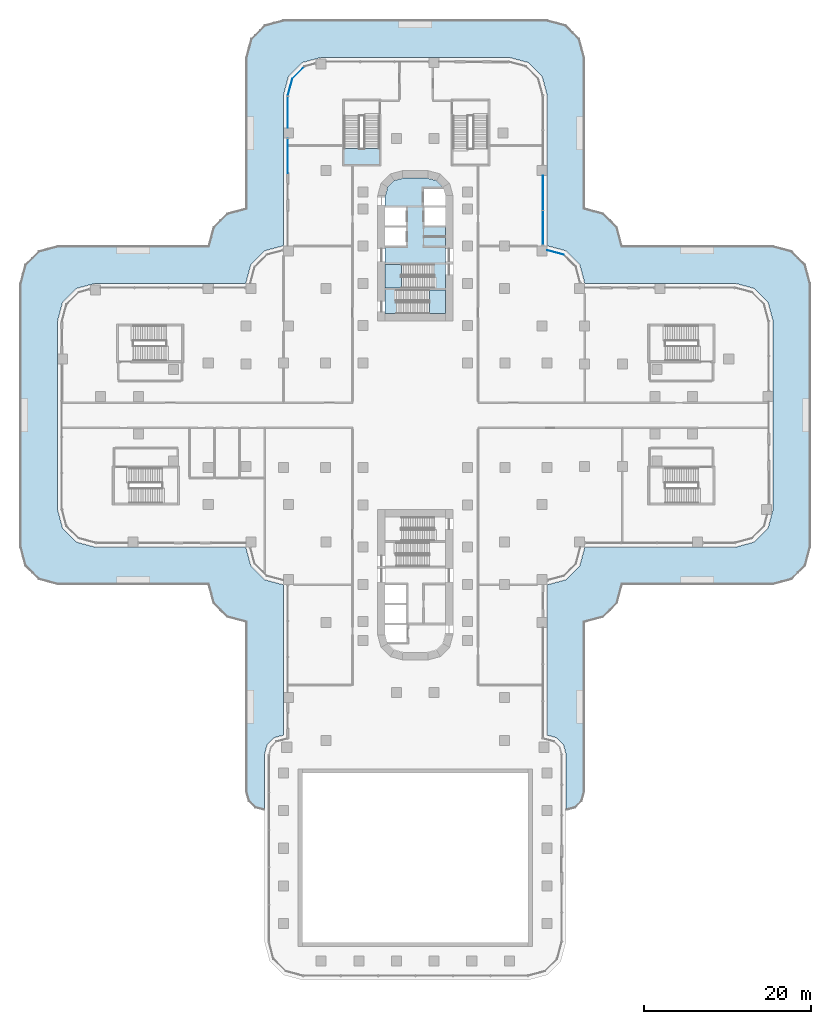
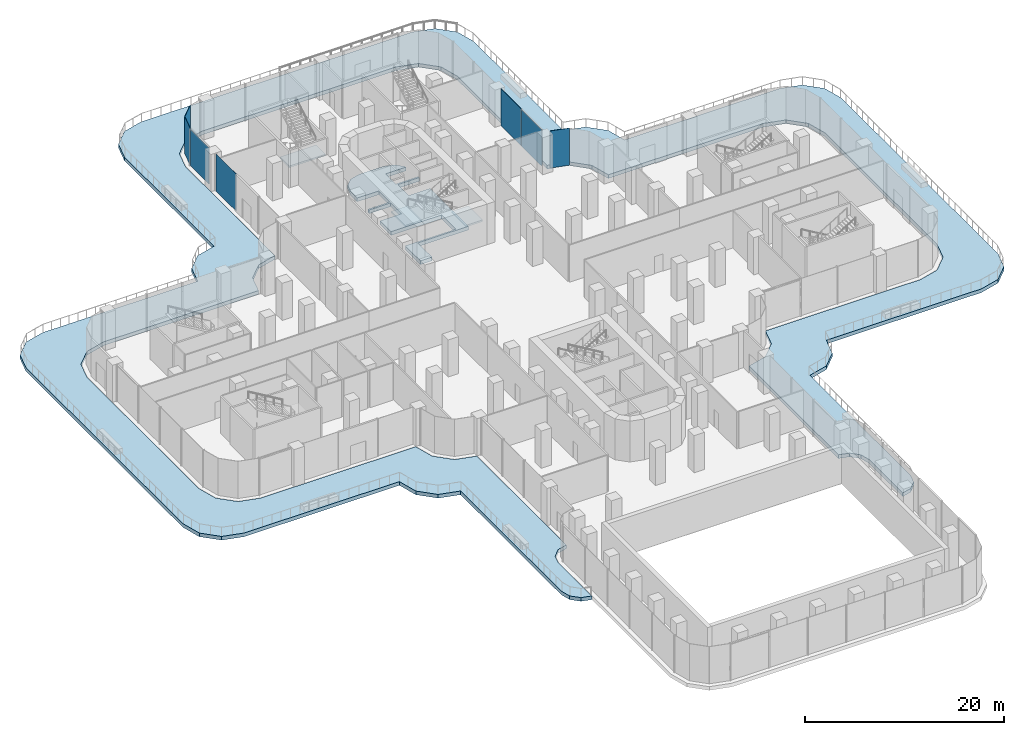
# One storey, part 14 of 27: 7 plates, 5 slabs, 8 elements without a shape of their own.
"""IFC4 building model written with IfcOpenShell, lengths in metres."""

from ifc_helpers import new_model, si_unit, direction, frame, origin, place, context, subcontext, project, spatial, polyline, outline, extrude, source, transform, mapped, material, layer, layer_set, type_object, element, aggregate, save


model = new_model("IFC4")

# Units and contexts
model_context = context("Model", 3, precision=1e-05, world=origin(), true_north=direction((0.0, 1.0)))
body_context = subcontext(model_context, "Body", "Model", "MODEL_VIEW")
ifc_project = project(units=[si_unit("LENGTHUNIT", "METRE"), si_unit("AREAUNIT", "SQUARE_METRE"), si_unit("VOLUMEUNIT", "CUBIC_METRE"), si_unit("PLANEANGLEUNIT", "RADIAN"), si_unit("MASSUNIT", "GRAM", prefix="KILO")], contexts=[model_context])

# Site, building, storey
site_placement = place(None, origin())
site = spatial("IfcSite", under=ifc_project, at=site_placement, CompositionType="ELEMENT")
building_placement = place(site_placement, origin())
building = spatial("IfcBuilding", under=site, at=building_placement, Name="Zarbagh Exchange Tower", CompositionType="ELEMENT")
storey_placement = place(building_placement, frame((0.0, 0.0, 17.0)))
storey = spatial("IfcBuildingStorey", under=building, at=storey_placement, Name="L03", CompositionType="ELEMENT", Elevation=17.0)

# Slabs
ifc_material_1 = material(Name="Concrete C50/60", Category="concrete")
ifc_layer_1 = layer(ifc_material_1, 0.449951171875)
ifc_layer_set_1 = layer_set([ifc_layer_1], Name="Core floor slab 450 C50/60")
slab_type_1 = type_object("IfcSlabType", Name="Core floor slab 450 C50/60", PredefinedType="FLOOR", material=ifc_layer_set_1)
slab_1_placement = place(storey_placement, frame((0.0, 0.0, -0.449951171875)))
element("IfcSlab", 1, at=slab_1_placement, inside=storey, type_object=slab_type_1, Name="S16 core N", PredefinedType="FLOOR", context=body_context, shape_type="SweptSolid", body=[
    extrude(outline(polyline([(-3.60009765625, 12.14990234375), (-3.60009765625, 15.199951171875), (2.25, 15.199951171875), (2.25, 18.050048828125), (-3.60009765625, 18.050048828125), (-3.60009765625, 20.25), (-1.10009765625, 20.25), (-1.10009765625, 22.449951171875), (-3.60009765625, 22.449951171875), (-3.60009765625, 22.64990234375), (-1.10009765625, 22.64990234375), (-1.10009765625, 24.85009765625), (-3.60009765625, 24.85009765625), (-3.60009765625, 26.131591796875), (-3.291259765625, 27.2841796875), (-2.5341796875, 28.041259765625), (-1.381591796875, 28.35009765625), (1.381591796875, 28.35009765625), (2.5341796875, 28.041259765625), (3.291259765625, 27.2841796875), (3.340576171875, 27.10009765625), (1.0, 27.10009765625), (1.0, 25.050048828125), (3.60009765625, 25.050048828125), (3.60009765625, 24.85009765625), (1.10009765625, 24.85009765625), (1.10009765625, 22.64990234375), (3.60009765625, 22.64990234375), (3.60009765625, 15.0), (-2.25, 15.0), (-2.25, 12.14990234375), (-3.60009765625, 12.14990234375)])), origin(), (0.0, 0.0, 1.0), 0.449951171875),
])
ifc_layer_2 = layer(ifc_material_1, 0.449951171875)
ifc_layer_set_2 = layer_set([ifc_layer_2], Name="Podium terrace roof slab 450 C50/60")
slab_type_2 = type_object("IfcSlabType", Name="Podium terrace roof slab 450 C50/60", PredefinedType="ROOF", material=ifc_layer_set_2)
slab_2_placement = place(storey_placement, frame((0.0, 0.0, -0.449951171875)))
element("IfcSlab", 2, at=slab_2_placement, inside=storey, type_object=slab_type_2, Name="S8 podium terrace roof slab", PredefinedType="ROOF", context=body_context, shape_type="SweptSolid", body=[
    extrude(outline(polyline([(-20.25, -24.75), (-22.5, -24.147216796875), (-24.147216796875, -22.5), (-24.75, -20.25), (-42.75, -20.25), (-45.0, -19.647216796875), (-46.647216796875, -18.0), (-47.25, -15.75), (-47.25, 15.75), (-46.647216796875, 18.0), (-45.0, 19.647216796875), (-42.75, 20.25), (-24.75, 20.25), (-24.147216796875, 22.5), (-22.5, 24.147216796875), (-20.25, 24.75), (-20.25, 42.75), (-19.647216796875, 45.0), (-18.0, 46.647216796875), (-15.75, 47.25), (15.75, 47.25), (18.0, 46.647216796875), (19.647216796875, 45.0), (20.25, 42.75), (20.25, 24.75), (22.5, 24.147216796875), (24.147216796875, 22.5), (24.75, 20.25), (42.75, 20.25), (45.0, 19.647216796875), (46.647216796875, 18.0), (47.25, 15.75), (47.25, -15.75), (46.647216796875, -18.0), (45.0, -19.647216796875), (42.75, -20.25), (24.75, -20.25), (24.147216796875, -22.5), (22.5, -24.147216796875), (20.25, -24.75), (20.25, -45.0), (19.948486328125, -46.125), (19.125, -46.948486328125), (18.02490234375, -47.243408203125), (18.02490234375, -40.49658203125), (17.720947265625, -39.362060546875), (16.887939453125, -38.529052734375), (15.77490234375, -38.230712890625), (15.77490234375, -20.269287109375), (18.012939453125, -19.66943359375), (19.66943359375, -18.012939453125), (20.269287109375, -15.77490234375), (38.25341796875, -15.77490234375), (40.512939453125, -15.16943359375), (42.16943359375, -13.512939453125), (42.77490234375, -11.25341796875), (42.77490234375, 11.25341796875), (42.16943359375, 13.512939453125), (40.512939453125, 15.16943359375), (38.25341796875, 15.77490234375), (20.269287109375, 15.77490234375), (19.66943359375, 18.012939453125), (18.012939453125, 19.66943359375), (15.77490234375, 20.269287109375), (15.77490234375, 38.25341796875), (15.16943359375, 40.512939453125), (13.512939453125, 42.16943359375), (11.25341796875, 42.77490234375), (-11.25341796875, 42.77490234375), (-13.512939453125, 42.16943359375), (-15.16943359375, 40.512939453125), (-15.77490234375, 38.25341796875), (-15.77490234375, 20.269287109375), (-18.012939453125, 19.66943359375), (-19.66943359375, 18.012939453125), (-20.269287109375, 15.77490234375), (-38.25341796875, 15.77490234375), (-40.512939453125, 15.16943359375), (-42.16943359375, 13.512939453125), (-42.77490234375, 11.25341796875), (-42.77490234375, -11.25341796875), (-42.16943359375, -13.512939453125), (-40.512939453125, -15.16943359375), (-38.25341796875, -15.77490234375), (-20.269287109375, -15.77490234375), (-19.66943359375, -18.012939453125), (-18.012939453125, -19.66943359375), (-15.77490234375, -20.269287109375), (-15.77490234375, -38.230712890625), (-16.887939453125, -38.529052734375), (-17.720947265625, -39.362060546875), (-18.02490234375, -40.49658203125), (-18.02490234375, -47.243408203125), (-19.125, -46.948486328125), (-19.948486328125, -46.125), (-20.25, -45.0), (-20.25, -24.75)])), origin(), (0.0, 0.0, 1.0), 0.449951171875),
])

# Stair, slab
ifc_material_2 = material(Name="Concrete C40/50", Category="concrete")
stair_type = type_object("IfcStairType", Name="Exit stair two-flight half-turn", PredefinedType="HALF_TURN_STAIR", material=ifc_material_2)
stair_1_placement = place(storey_placement, origin())
stair_1 = element("IfcStair", 3, at=stair_1_placement, inside=storey, type_object=stair_type, Name="exit stair ST1", PredefinedType="HALF_TURN_STAIR")
ifc_layer_3 = layer(ifc_material_2, 0.199951171875)
ifc_layer_set_3 = layer_set([ifc_layer_3], Name="Stair landing 200 mm")
slab_type_3 = type_object("IfcSlabType", Name="Stair landing 200 mm", PredefinedType="LANDING", material=ifc_layer_set_3)
slab_3_placement = place(storey_placement, frame((0.0, 0.0, 2.300048828125)))
slab_3 = element("IfcSlab", 4, at=slab_3_placement, type_object=slab_type_3, Name="ST1 landing 1", PredefinedType="LANDING", context=body_context, shape_type="SweptSolid", body=[
    extrude(outline(polyline([(-1.669921875, 18.050048828125), (-3.60009765625, 18.050048828125), (-3.60009765625, 15.199951171875), (-1.669921875, 15.199951171875), (-1.669921875, 18.050048828125)])), origin(), (0.0, 0.0, 1.0), 0.199951171875),
])
aggregate(stair_1, [slab_3])

stair_2_placement = place(storey_placement, origin())
stair_2 = element("IfcStair", 5, at=stair_2_placement, inside=storey, type_object=stair_type, Name="exit stair ST2", PredefinedType="HALF_TURN_STAIR")
slab_4_placement = place(storey_placement, frame((0.0, 0.0, 2.300048828125)))
slab_4 = element("IfcSlab", 6, at=slab_4_placement, type_object=slab_type_3, Name="ST2 landing 1", PredefinedType="LANDING", context=body_context, shape_type="SweptSolid", body=[
    extrude(outline(polyline([(1.669921875, 12.14990234375), (3.60009765625, 12.14990234375), (3.60009765625, 15.0), (1.669921875, 15.0), (1.669921875, 12.14990234375)])), origin(), (0.0, 0.0, 1.0), 0.199951171875),
])
aggregate(stair_2, [slab_4])

stair_3_placement = place(storey_placement, origin())
stair_3 = element("IfcStair", 7, at=stair_3_placement, inside=storey, type_object=stair_type, Name="exit stair PS1", PredefinedType="HALF_TURN_STAIR")
slab_5_placement = place(storey_placement, frame((0.0, 0.0, 2.300048828125)))
slab_5 = element("IfcSlab", 8, at=slab_5_placement, type_object=slab_type_3, Name="PS1 landing 1", PredefinedType="LANDING", context=body_context, shape_type="SweptSolid", body=[
    extrude(outline(polyline([(-8.5, 31.8798828125), (-8.5, 30.0), (-4.300048828125, 30.0), (-4.300048828125, 31.8798828125), (-8.5, 31.8798828125)])), origin(), (0.0, 0.0, 1.0), 0.199951171875),
])
aggregate(stair_3, [slab_5])

# Curtain wall, plate
ifc_material_3 = material(Name="Anodised aluminium frame and glazing", Category="aluminium")
curtain_wall_type = type_object("IfcCurtainWallType", Name="CWC Podium garden-wall glazing", PredefinedType="NOTDEFINED", material=ifc_material_3)
curtain_wall_1_placement = place(storey_placement, origin())
curtain_wall_1 = element("IfcCurtainWall", 9, at=curtain_wall_1_placement, inside=storey, type_object=curtain_wall_type, Name="CWC168 curtain wall", PredefinedType="NOTDEFINED")
ifc_material_4 = material(Name="Low-e double glazed unit, 6+12+6 mm")
ifc_layer_4 = layer(ifc_material_4, 0.031982421875)
ifc_layer_set_4 = layer_set([ifc_layer_4], Name="PAC Glazing panel, Low-e double glazed unit, 6+12+6 mm")
plate_type = type_object("IfcPlateType", Name="PAC Glazing panel, Low-e double glazed unit, 6+12+6 mm", PredefinedType="CURTAIN_PANEL", material=ifc_layer_set_4)
shared_shape_1 = source(origin(), body_context, "Body", "SweptSolid", [
    extrude(outline(polyline([(0.0, -0.01611328125), (2.061279296875, -0.01611328125), (2.061279296875, 0.01611328125), (0.0, 0.01611328125), (0.0, -0.01611328125)])), origin(), (0.0, 0.0, 1.0), 4.550048828125),
])
placement = place(storey_placement, origin())
plate_1 = element("IfcPlate", 10, at=placement, type_object=plate_type, Name="CWC168 glazing panel 1.1", PredefinedType="CURTAIN_PANEL", context=body_context, shape_type="MappedRepresentation", body=[
    mapped(shared_shape_1, transform((-13.2412109375, 41.69873046875, 0.0), x_axis=(-0.707106781187, -0.707106781187, 0.0), y_axis=(0.707106781187, -0.707106781187, 0.0), z_axis=(0.0, 0.0, 1.0))),
])
aggregate(curtain_wall_1, [plate_1])

curtain_wall_2_placement = place(storey_placement, origin())
curtain_wall_2 = element("IfcCurtainWall", 11, at=curtain_wall_2_placement, inside=storey, type_object=curtain_wall_type, Name="CWC161 curtain wall", PredefinedType="NOTDEFINED")
shared_shape_2 = source(origin(), body_context, "Body", "SweptSolid", [
    extrude(outline(polyline([(0.0, -0.01611328125), (2.02001953125, -0.01611328125), (2.02001953125, 0.01611328125), (0.0, 0.01611328125), (0.0, -0.01611328125)])), origin(), (0.0, 0.0, 1.0), 4.550048828125),
])
plate_2 = element("IfcPlate", 12, at=placement, type_object=plate_type, Name="CWC161 glazing panel 1.1", PredefinedType="CURTAIN_PANEL", context=body_context, shape_type="MappedRepresentation", body=[
    mapped(shared_shape_2, transform((17.7412109375, 19.19873046875, 0.0), x_axis=(-0.965924289636, 0.258824779902, 0.0), y_axis=(-0.258824779902, -0.965924289636, 0.0), z_axis=(0.0, 0.0, 1.0))),
])
aggregate(curtain_wall_2, [plate_2])

curtain_wall_3_placement = place(storey_placement, origin())
curtain_wall_3 = element("IfcCurtainWall", 13, at=curtain_wall_3_placement, inside=storey, type_object=curtain_wall_type, Name="CWC169 curtain wall", PredefinedType="NOTDEFINED")
shared_shape_3 = source(origin(), body_context, "Body", "SweptSolid", [
    extrude(outline(polyline([(0.0, -0.01611328125), (2.129638671875, -0.01611328125), (2.129638671875, 0.01611328125), (0.0, 0.01611328125), (0.0, -0.01611328125)])), origin(), (0.0, 0.0, 1.0), 4.550048828125),
])
plate_3 = element("IfcPlate", 14, at=placement, type_object=plate_type, Name="CWC169 glazing panel 1.1", PredefinedType="CURTAIN_PANEL", context=body_context, shape_type="MappedRepresentation", body=[
    mapped(shared_shape_3, transform((-14.69873046875, 40.2412109375, 0.0), x_axis=(-0.258824779902, -0.965924289636, 0.0), y_axis=(0.965924289636, -0.258824779902, 0.0), z_axis=(0.0, 0.0, 1.0))),
])
aggregate(curtain_wall_3, [plate_3])

curtain_wall_4_placement = place(storey_placement, origin())
curtain_wall_4 = element("IfcCurtainWall", 15, at=curtain_wall_4_placement, inside=storey, type_object=curtain_wall_type, Name="CWC170 curtain wall", PredefinedType="NOTDEFINED")
shared_shape_4 = source(origin(), body_context, "Body", "SweptSolid", [
    extrude(outline(polyline([(0.0, -0.01611328125), (3.714111328125, -0.01611328125), (3.714111328125, 0.01611328125), (0.0, 0.01611328125), (0.0, -0.01611328125)])), origin(), (0.0, 0.0, 1.0), 4.469970703125),
])
plate_4 = element("IfcPlate", 16, at=placement, type_object=plate_type, Name="CWC170 glazing panel 1.1", PredefinedType="CURTAIN_PANEL", context=body_context, shape_type="MappedRepresentation", body=[
    mapped(shared_shape_4, transform((-15.25, 38.104248046875, 0.0), x_axis=(0.0, -1.0, 0.0), y_axis=(1.0, 0.0, 0.0), z_axis=(0.0, 0.0, 1.0))),
])

curtain_wall_5_placement = place(storey_placement, origin())
curtain_wall_5 = element("IfcCurtainWall", 17, at=curtain_wall_5_placement, inside=storey, type_object=curtain_wall_type, Name="CWC162 curtain wall", PredefinedType="NOTDEFINED")
shared_shape_5 = source(origin(), body_context, "Body", "SweptSolid", [
    extrude(outline(polyline([(0.0, -0.01611328125), (4.080078125, -0.01611328125), (4.080078125, 0.01611328125), (0.0, 0.01611328125), (0.0, -0.01611328125)])), origin(), (0.0, 0.0, 1.0), 4.550048828125),
])
plate_5 = element("IfcPlate", 18, at=placement, type_object=plate_type, Name="CWC162 glazing panel 1.2", PredefinedType="CURTAIN_PANEL", context=body_context, shape_type="MappedRepresentation", body=[
    mapped(shared_shape_5, transform((15.25, 24.530029296875, 0.0), x_axis=(0.0, 1.0, 0.0), y_axis=(-1.0, 0.0, 0.0), z_axis=(0.0, 0.0, 1.0))),
])

# Plate
plate_6 = element("IfcPlate", 19, at=placement, type_object=plate_type, Name="CWC170 glazing panel 2.1", PredefinedType="CURTAIN_PANEL", context=body_context, shape_type="MappedRepresentation", body=[
    mapped(shared_shape_5, transform((-15.25, 33.030029296875, 0.0), x_axis=(0.0, -1.0, 0.0), y_axis=(1.0, 0.0, 0.0), z_axis=(0.0, 0.0, 1.0))),
])

aggregate(curtain_wall_4, [plate_4, plate_6])

shared_shape_6 = source(origin(), body_context, "Body", "SweptSolid", [
    extrude(outline(polyline([(0.0, -0.01611328125), (4.080078125, -0.01611328125), (4.080078125, 0.01611328125), (0.0, 0.01611328125), (0.0, -0.01611328125)])), origin(), (0.0, 0.0, 1.0), 4.469970703125),
])
plate_7 = element("IfcPlate", 20, at=placement, type_object=plate_type, Name="CWC162 glazing panel 1.1", PredefinedType="CURTAIN_PANEL", context=body_context, shape_type="MappedRepresentation", body=[
    mapped(shared_shape_6, transform((15.25, 20.3701171875, 0.0), x_axis=(0.0, 1.0, 0.0), y_axis=(-1.0, 0.0, 0.0), z_axis=(0.0, 0.0, 1.0))),
])

aggregate(curtain_wall_5, [plate_7, plate_5])

save(model, "model.ifc")
